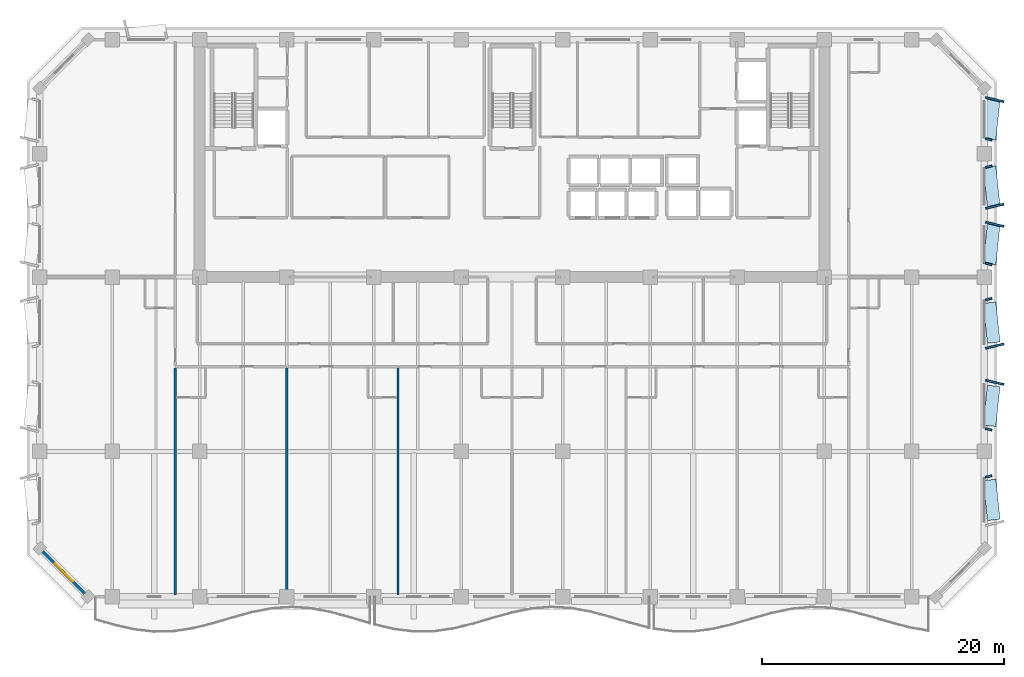
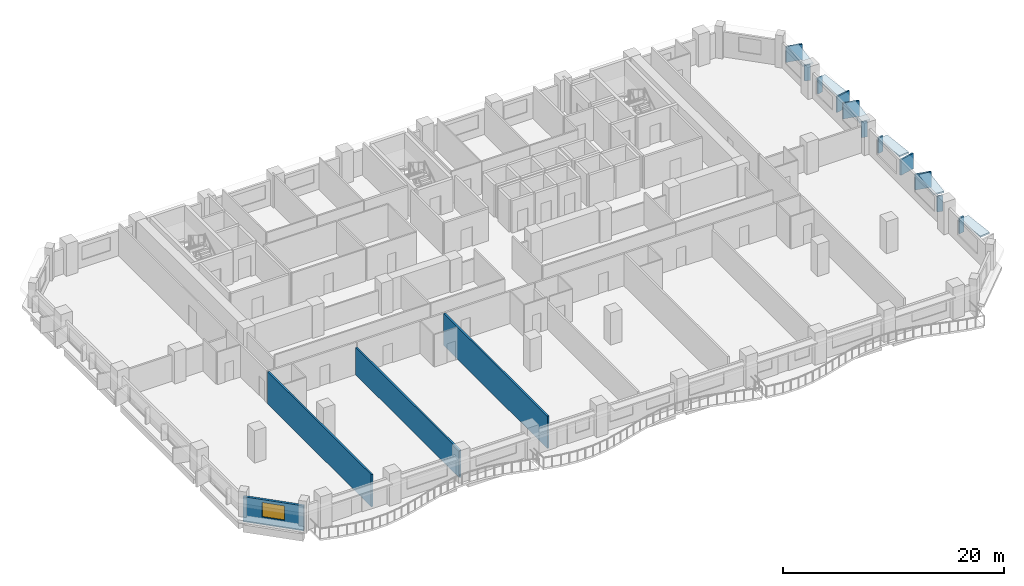
# One storey, part 3 of 14: 17 plates, 4 walls, 1 window, 1 opening.
"""IFC4 building model written with IfcOpenShell, lengths in metres."""

from ifc_helpers import new_model, si_unit, direction, frame, frame_2d, origin, origin_2d, place, context, subcontext, project, spatial, rectangle, extrude, material, layer, layer_set, type_object, element, fill, save


model = new_model("IFC4")

# Units and contexts
model_context = context("Model", 3, precision=1e-05, world=origin(), true_north=direction((0.0, 1.0)))
body_context = subcontext(model_context, "Body", "Model", "MODEL_VIEW")
ifc_project = project(units=[si_unit("LENGTHUNIT", "METRE"), si_unit("AREAUNIT", "SQUARE_METRE"), si_unit("VOLUMEUNIT", "CUBIC_METRE"), si_unit("PLANEANGLEUNIT", "RADIAN"), si_unit("MASSUNIT", "GRAM", prefix="KILO")], contexts=[model_context])

# Site, building, storey
site_placement = place(None, origin())
site = spatial("IfcSite", under=ifc_project, at=site_placement, CompositionType="ELEMENT")
building_placement = place(site_placement, origin())
building = spatial("IfcBuilding", under=site, at=building_placement, Name="Kaelvorn Grand Hotel", CompositionType="ELEMENT")
storey_placement = place(building_placement, frame((0.0, 0.0, 193.949951171875)))
storey = spatial("IfcBuildingStorey", under=building, at=storey_placement, Name="L47", CompositionType="ELEMENT", Elevation=193.949951171875)

# Plates
ifc_material_1 = material(Name="Precast concrete C45/55", Category="concrete")
ifc_layer_1 = layer(ifc_material_1, 0.159912109375)
ifc_layer_set_1 = layer_set([ifc_layer_1], Name="Precast concrete C45/55")
plate_type_1 = type_object("IfcPlateType", Name="PL-FRAME-DEEP-1550", PredefinedType="USERDEFINED", material=ifc_layer_set_1)
for number, where, z_axis, x_axis, name in (
    (1, (81.85498046875, 20.705078125, 0.81494140625), (0.0, 0.0, 1.0), (0.233445363856, 0.972369920398, 0.0), "L47 Tilted Precast Window Frame Fin R-E02"),
    (2, (81.85498046875, 23.695068359375, 0.81494140625), (0.0, 0.0, 1.0), (-0.233445363856, 0.972369920398, 0.0), "L47 Tilted Precast Window Frame Fin L-E03"),
    (3, (81.85498046875, 33.7548828125, 0.740234375), (0.0, 0.0, 1.0), (0.233445363856, 0.972369920398, 0.0), "L47 Tilted Precast Window Frame Fin R-E04"),
    (4, (81.85498046875, 35.2451171875, 0.740234375), (0.0, 0.0, 1.0), (-0.233445363856, 0.972369920398, 0.0), "L47 Tilted Precast Window Frame Fin L-E05"),
    (5, (81.85498046875, 44.054931640625, 0.740234375), (0.0, 0.0, 1.0), (0.233445363856, 0.972369920398, 0.0), "L47 Tilted Precast Window Frame Fin R-E06"),
):
    element("IfcPlate", number, at=place(storey_placement, frame(where, z_axis=z_axis, x_axis=x_axis)), inside=storey, type_object=plate_type_1, Name=name, ObjectType="FLANGE_PLATE", PredefinedType="USERDEFINED", context=body_context, shape_type="SweptSolid", body=[
        extrude(rectangle(XDim=0.159912109375, YDim=1.550048828125, at=origin_2d()), origin(), (0.0, 0.0, 1.0), 1.719970703125),
    ])
ifc_layer_2 = layer(ifc_material_1, 0.159912109375)
ifc_layer_set_2 = layer_set([ifc_layer_2], Name="Precast concrete C45/55")
plate_type_2 = type_object("IfcPlateType", Name="PL-FRAME-HEAD-1050", PredefinedType="USERDEFINED", material=ifc_layer_set_2)
for number, where, z_axis, x_axis, name in (
    (6, (81.60498046875, 11.0, 2.5), (0.0, 0.0, 1.0), (-0.105830199459, 0.994384215926, 0.0), "L47 Precast Window Frame Head Hood H-E01"),
    (7, (81.60498046875, 18.764892578125, 2.5), (0.0, 0.0, 1.0), (0.105830199459, 0.994384215926, 0.0), "L47 Precast Window Frame Head Hood H-E02"),
    (8, (81.60498046875, 25.635009765625, 2.5), (0.0, 0.0, 1.0), (-0.105830199459, 0.994384215926, 0.0), "L47 Precast Window Frame Head Hood H-E03"),
    (9, (81.60498046875, 32.114990234375, 2.35009765625), (0.0, 0.0, 1.0), (0.105830199459, 0.994384215926, 0.0), "L47 Precast Window Frame Head Hood H-E04"),
    (10, (81.60498046875, 36.885009765625, 2.35009765625), (0.0, 0.0, 1.0), (-0.105830199459, 0.994384215926, 0.0), "L47 Precast Window Frame Head Hood H-E05"),
    (11, (81.60498046875, 42.4150390625, 2.35009765625), (0.0, 0.0, 1.0), (0.105830199459, 0.994384215926, 0.0), "L47 Precast Window Frame Head Hood H-E06"),
):
    element("IfcPlate", number, at=place(storey_placement, frame(where, z_axis=z_axis, x_axis=x_axis)), inside=storey, type_object=plate_type_2, Name=name, ObjectType="FLANGE_PLATE", PredefinedType="USERDEFINED", context=body_context, shape_type="SweptSolid", body=[
        extrude(rectangle(XDim=3.320068359375, YDim=1.050048828125, at=origin_2d()), origin(), (0.0, 0.0, 1.0), 0.159912109375),
    ])
ifc_layer_3 = layer(ifc_material_1, 0.159912109375)
ifc_layer_set_3 = layer_set([ifc_layer_3], Name="Precast concrete C45/55")
plate_type_3 = type_object("IfcPlateType", Name="PL-FRAME-SHAL-550", PredefinedType="USERDEFINED", material=ifc_layer_set_3)
for number, where, z_axis, x_axis, name in (
    (12, (81.35498046875, 12.93994140625, 0.81494140625), (0.0, 0.0, 1.0), (-0.233445363856, 0.972369920398, 0.0), "L47 Tilted Precast Window Frame Fin R-E01"),
    (13, (81.35498046875, 16.824951171875, 0.81494140625), (0.0, 0.0, 1.0), (0.233445363856, 0.972369920398, 0.0), "L47 Tilted Precast Window Frame Fin L-E02"),
    (14, (81.35498046875, 27.574951171875, 0.81494140625), (0.0, 0.0, 1.0), (-0.233445363856, 0.972369920398, 0.0), "L47 Tilted Precast Window Frame Fin R-E03"),
    (15, (81.35498046875, 30.47509765625, 0.740234375), (0.0, 0.0, 1.0), (0.233445363856, 0.972369920398, 0.0), "L47 Tilted Precast Window Frame Fin L-E04"),
    (16, (81.35498046875, 38.52490234375, 0.740234375), (0.0, 0.0, 1.0), (-0.233445363856, 0.972369920398, 0.0), "L47 Tilted Precast Window Frame Fin R-E05"),
    (17, (81.35498046875, 40.77490234375, 0.740234375), (0.0, 0.0, 1.0), (0.233445363856, 0.972369920398, 0.0), "L47 Tilted Precast Window Frame Fin L-E06"),
):
    element("IfcPlate", number, at=place(storey_placement, frame(where, z_axis=z_axis, x_axis=x_axis)), inside=storey, type_object=plate_type_3, Name=name, ObjectType="FLANGE_PLATE", PredefinedType="USERDEFINED", context=body_context, shape_type="SweptSolid", body=[
        extrude(rectangle(XDim=0.159912109375, YDim=0.550048828125, at=origin_2d()), origin(), (0.0, 0.0, 1.0), 1.719970703125),
    ])

# Wall, opening, window
ifc_material_2 = material(Name="Concrete C40/50", Category="concrete")
ifc_layer_4 = layer(ifc_material_2, 0.239990234375)
ifc_layer_set_4 = layer_set([ifc_layer_4], Name="Concrete C40/50")
wall_type_1 = type_object("IfcWallType", Name="WL-EXT-240-C40", PredefinedType="SOLIDWALL", material=ifc_layer_set_4)
wall_1_placement = place(storey_placement, frame((3.0, 7.0, 0.0), z_axis=(0.0, 0.0, 1.0), x_axis=(0.707106781187, -0.707106781187, 0.0)))
wall_1 = element("IfcWall", 18, at=wall_1_placement, inside=storey, type_object=wall_type_1, Name="L47 Exterior Architectural Concrete Wall 08", PredefinedType="SOLIDWALL", context=body_context, shape_type="SweptSolid", body=[
    extrude(rectangle(XDim=5.65673828125, YDim=0.239990234375, at=frame_2d((2.828369140625, 0.0))), origin(), (0.0, 0.0, 1.0), 2.760009765625),
])
opening_placement = place(wall_1_placement, frame((1.7783203125, 0.0, 0.85009765625)))
opening = element("IfcOpeningElement", 19, at=opening_placement, cuts=wall_1, Name="Opening W7", PredefinedType="OPENING", context=body_context, shape_type="SweptSolid", body=[
    extrude(rectangle(XDim=2.10009765625, YDim=1.60009765625, at=frame_2d((1.050048828125, 0.800048828125))), frame((0.0, 0.1298828125, 0.0), z_axis=(0.0, -1.0, 0.0), x_axis=(1.0, 0.0, 0.0)), (0.0, 0.0, 1.0), 0.260009765625),
])
ifc_material_3 = material(Name="Laminated Low-E Glass", Category="glass")
window_type = type_object("IfcWindowType", Name="WIN-CHM-2100x1600", PartitioningType="SINGLE_PANEL", PredefinedType="WINDOW", material=ifc_material_3)
window_placement = place(opening_placement, origin())
window = element("IfcWindow", 20, at=window_placement, inside=storey, type_object=window_type, Name="L47 Chamfered 45-Degree Corner Window SW", OverallHeight=1.60009765625, OverallWidth=2.10009765625, PartitioningType="SINGLE_PANEL", PredefinedType="WINDOW", context=body_context, shape_type="SweptSolid", body=[
    extrude(rectangle(XDim=2.10009765625, YDim=1.60009765625, at=frame_2d((1.050048828125, 0.800048828125))), frame((0.0, 0.030029296875, 0.0), z_axis=(0.0, -1.0, 0.0), x_axis=(1.0, 0.0, 0.0)), (0.0, 0.0, 1.0), 0.06005859375),
])
fill(opening, window)

# Walls
ifc_material_4 = material(Name="Acoustic Gypsum & Stud Partition")
ifc_layer_5 = layer(ifc_material_4, 0.179931640625)
ifc_layer_set_5 = layer_set([ifc_layer_5], Name="Acoustic Gypsum & Stud Partition")
wall_type_2 = type_object("IfcWallType", Name="WL-PART-180-EI60", PredefinedType="PARTITIONING", material=ifc_layer_set_5)
wall_2_placement = place(storey_placement, frame((14.199951171875, 3.14990234375, 0.0), z_axis=(0.0, 0.0, 1.0), x_axis=(0.0, 1.0, 0.0)))
element("IfcWall", 21, at=wall_2_placement, inside=storey, type_object=wall_type_2, Name="L47 Mid-Rise Signature Suite L47-01 W Partition", PredefinedType="PARTITIONING", context=body_context, shape_type="SweptSolid", body=[
    extrude(rectangle(XDim=18.755126953125, YDim=0.179931640625, at=frame_2d((9.37744140625, 0.0))), origin(), (0.0, 0.0, 1.0), 3.56005859375),
])
wall_3_placement = place(storey_placement, frame((23.3955078125, 3.14990234375, 0.0), z_axis=(0.0, 0.0, 1.0), x_axis=(0.0, 1.0, 0.0)))
element("IfcWall", 22, at=wall_3_placement, inside=storey, type_object=wall_type_2, Name="L47 Mid-Rise Signature Suite L47-01 E Partition", PredefinedType="PARTITIONING", context=body_context, shape_type="SweptSolid", body=[
    extrude(rectangle(XDim=18.755126953125, YDim=0.179931640625, at=frame_2d((9.37744140625, 0.0))), origin(), (0.0, 0.0, 1.0), 3.010009765625),
])
wall_4_placement = place(storey_placement, frame((32.5908203125, 3.14990234375, 0.0), z_axis=(0.0, 0.0, 1.0), x_axis=(0.0, 1.0, 0.0)))
element("IfcWall", 23, at=wall_4_placement, inside=storey, type_object=wall_type_2, Name="L47 Mid-Rise Signature Suite L47-02 E Partition", PredefinedType="PARTITIONING", context=body_context, shape_type="SweptSolid", body=[
    extrude(rectangle(XDim=18.755126953125, YDim=0.179931640625, at=frame_2d((9.37744140625, 0.0))), origin(), (0.0, 0.0, 1.0), 3.56005859375),
])

save(model, "model.ifc")
